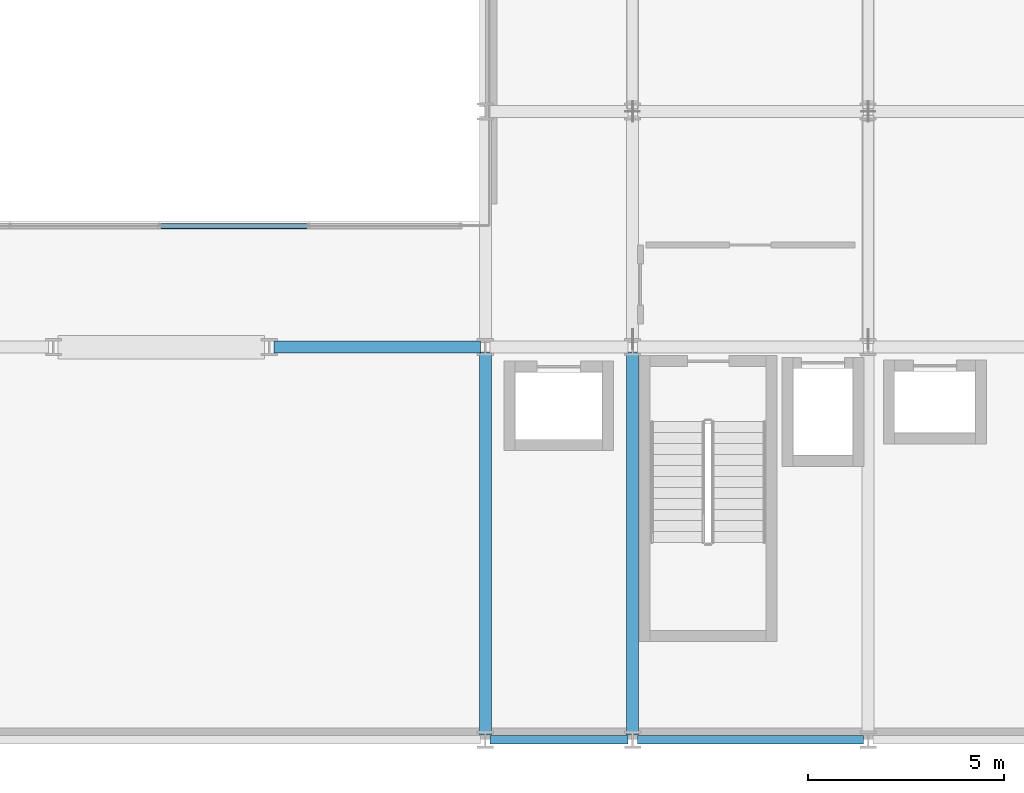
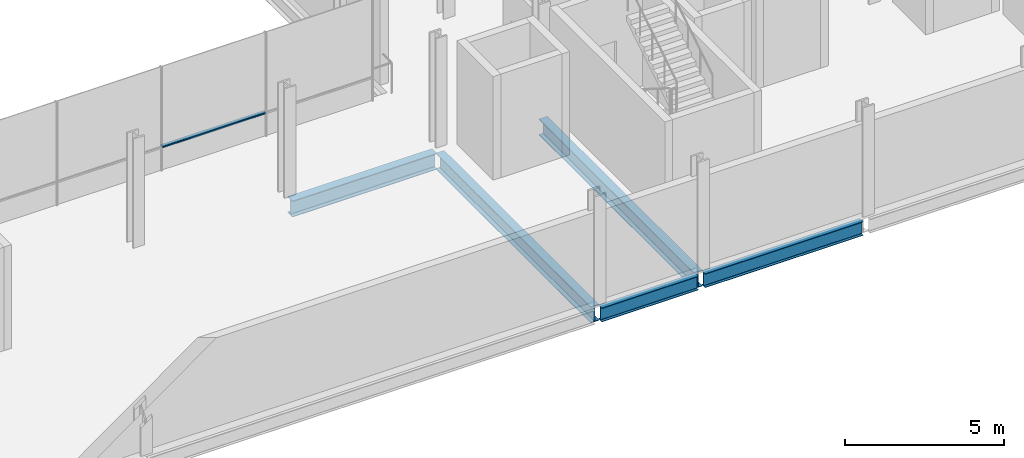
# One storey, part 14 of 32: 5 beams, 1 member, 1 element without a shape of its own.
"""IFC4 building model written with IfcOpenShell, lengths in metres."""

from ifc_helpers import new_model, si_unit, direction, frame, origin, origin_2d, place, context, subcontext, project, spatial, hollow_rectangle, i_section, extrude, material, layer, layer_set, material_profile, profile_set, type_object, element, aggregate, save


model = new_model("IFC4")

# Units and contexts
model_context = context("Model", 3, precision=1e-05, world=origin(), true_north=direction((0.0, 1.0)))
body_context = subcontext(model_context, "Body", "Model", "MODEL_VIEW")
ifc_project = project(units=[si_unit("LENGTHUNIT", "METRE"), si_unit("AREAUNIT", "SQUARE_METRE"), si_unit("VOLUMEUNIT", "CUBIC_METRE"), si_unit("PLANEANGLEUNIT", "RADIAN"), si_unit("MASSUNIT", "GRAM", prefix="KILO")], contexts=[model_context])

# Site, building, storey
site_placement = place(None, origin())
site = spatial("IfcSite", under=ifc_project, at=site_placement, CompositionType="ELEMENT")
building_placement = place(site_placement, origin())
building = spatial("IfcBuilding", under=site, at=building_placement, Name="Brevholm Reach", CompositionType="ELEMENT")
storey_placement = place(building_placement, frame((0.0, 0.0, 96.199951171875)))
storey = spatial("IfcBuildingStorey", under=building, at=storey_placement, Name="L28", CompositionType="ELEMENT", Elevation=96.199951171875)

# Beams
ifc_material_1 = material(Name="Structural Steel S355J2", Category="steel")
ifc_material_profile_1 = material_profile(ifc_material_1, i_section(OverallWidth=0.210693359375, OverallDepth=0.53955078125, WebThickness=0.01171875, FlangeThickness=0.018798828125, FilletRadius=0.0126953125, at=origin_2d()), Name="UKB 533x210x109")
ifc_profile_set_1 = profile_set([ifc_material_profile_1], Name="Structural Steel S355J2")
beam_type_1 = type_object("IfcBeamType", Name="BM-SP539", PredefinedType="SPANDREL", material=ifc_profile_set_1)
beam_1_placement = place(storey_placement, frame((38.3701171875, 0.0, -0.52978515625), z_axis=(1.0, 0.0, 0.0), x_axis=(0.0, 1.0, 0.0)))
element("IfcBeam", 1, at=beam_1_placement, inside=storey, type_object=beam_type_1, Name="L28 SP-01B Framing Beam", PredefinedType="SPANDREL", context=body_context, shape_type="SweptSolid", body=[
    extrude(i_section(OverallWidth=0.210693359375, OverallDepth=0.53955078125, WebThickness=0.01171875, FlangeThickness=0.018798828125, FilletRadius=0.0126953125, at=origin_2d()), origin(), (0.0, 0.0, 1.0), 3.509765625),
])
beam_2_placement = place(storey_placement, frame((42.1201171875, 0.0, -0.52978515625), z_axis=(1.0, 0.0, 0.0), x_axis=(0.0, 1.0, 0.0)))
element("IfcBeam", 2, at=beam_2_placement, inside=storey, type_object=beam_type_1, Name="L28 SP-01B Framing Beam", PredefinedType="SPANDREL", context=body_context, shape_type="SweptSolid", body=[
    extrude(i_section(OverallWidth=0.210693359375, OverallDepth=0.53955078125, WebThickness=0.01171875, FlangeThickness=0.018798828125, FilletRadius=0.0126953125, at=origin_2d()), origin(), (0.0, 0.0, 1.0), 5.759765625),
])
ifc_material_2 = material(Name="Structural Steel S355J2", Category="steel")
ifc_material_profile_2 = material_profile(ifc_material_2, i_section(OverallWidth=0.30712890625, OverallDepth=0.6201171875, WebThickness=0.01416015625, FlangeThickness=0.023681640625, FilletRadius=0.0166015625, at=origin_2d()), Name="UKB 610x305x179")
ifc_profile_set_2 = profile_set([ifc_material_profile_2], Name="Structural Steel S355J2")
beam_type_2 = type_object("IfcBeamType", Name="BM-UKB610H", PredefinedType="USERDEFINED", material=ifc_profile_set_2)
beam_3_placement = place(storey_placement, frame((32.8701171875, 10.0, -0.570068359375), z_axis=(1.0, 0.0, 0.0), x_axis=(0.0, 1.0, 0.0)))
element("IfcBeam", 3, at=beam_3_placement, inside=storey, type_object=beam_type_2, Name="L28 G-06 Framing Beam", ObjectType="GIRDER", PredefinedType="USERDEFINED", context=body_context, shape_type="SweptSolid", body=[
    extrude(i_section(OverallWidth=0.30712890625, OverallDepth=0.6201171875, WebThickness=0.01416015625, FlangeThickness=0.023681640625, FilletRadius=0.0166015625, at=origin_2d()), origin(), (0.0, 0.0, 1.0), 5.259765625),
])
for number, where, z_axis, x_axis, name in (
    (4, (38.25, 0.1201171875, -0.570068359375), (0.0, 1.0, 0.0), (-1.0, 0.0, 0.0), "L28 G-06 Framing Beam"),
    (5, (42.0, 0.1201171875, -0.570068359375), (0.0, 1.0, 0.0), (-1.0, 0.0, 0.0), "L28 G-06 Framing Beam"),
):
    element("IfcBeam", number, at=place(storey_placement, frame(where, z_axis=z_axis, x_axis=x_axis)), inside=storey, type_object=beam_type_2, Name=name, ObjectType="GIRDER", PredefinedType="USERDEFINED", context=body_context, shape_type="SweptSolid", body=[
        extrude(i_section(OverallWidth=0.30712890625, OverallDepth=0.6201171875, WebThickness=0.01416015625, FlangeThickness=0.023681640625, FilletRadius=0.0166015625, at=origin_2d()), origin(), (0.0, 0.0, 1.0), 9.759765625),
    ])

# Curtain wall, member
ifc_material_3 = material(Name="Dark Anodised Aluminium 6063-T6 and Solar-Control Glass", Category="aluminium")
ifc_layer = layer(ifc_material_3, 0.139892578125)
ifc_layer_set = layer_set([ifc_layer], Name="Dark Anodised Aluminium 6063-T6 and Solar-Control Glass")
curtain_wall_type = type_object("IfcCurtainWallType", Name="CW-02", PredefinedType="NOTDEFINED", material=ifc_layer_set)
curtain_wall_placement = place(storey_placement, origin())
curtain_wall = element("IfcCurtainWall", 6, at=curtain_wall_placement, inside=storey, type_object=curtain_wall_type, Name="L28 Curtain Wall CW-02", PredefinedType="NOTDEFINED")
ifc_material_4 = material(Name="Dark Anodised Aluminium 6063-T6", Category="aluminium")
ifc_material_profile_3 = material_profile(ifc_material_4, hollow_rectangle(XDim=0.06005859375, YDim=0.139892578125, WallThickness=0.0048828125, InnerFilletRadius=0.0048828125, OuterFilletRadius=0.010009765625, at=origin_2d()), Name="RHS 140x60x5")
ifc_profile_set_3 = profile_set([ifc_material_profile_3], Name="Dark Anodised Aluminium 6063-T6")
member_type = type_object("IfcMemberType", Name="CWT-140", PredefinedType="NOTDEFINED", material=ifc_profile_set_3)
member_placement = place(storey_placement, frame((29.97998046875, 13.080078125, 0.900146484375), z_axis=(1.0, 0.0, 0.0), x_axis=(0.0, 0.0, 1.0)))
member = element("IfcMember", 7, at=member_placement, type_object=member_type, Name="CT-140 Transom 3.1", ObjectType="TRANSOM", PredefinedType="USERDEFINED", context=body_context, shape_type="SweptSolid", body=[
    extrude(hollow_rectangle(XDim=0.06005859375, YDim=0.139892578125, WallThickness=0.0048828125, InnerFilletRadius=0.0048828125, OuterFilletRadius=0.010009765625, at=origin_2d()), origin(), (0.0, 0.0, 1.0), 3.739990234375),
])
aggregate(curtain_wall, [member])

save(model, "model.ifc")
